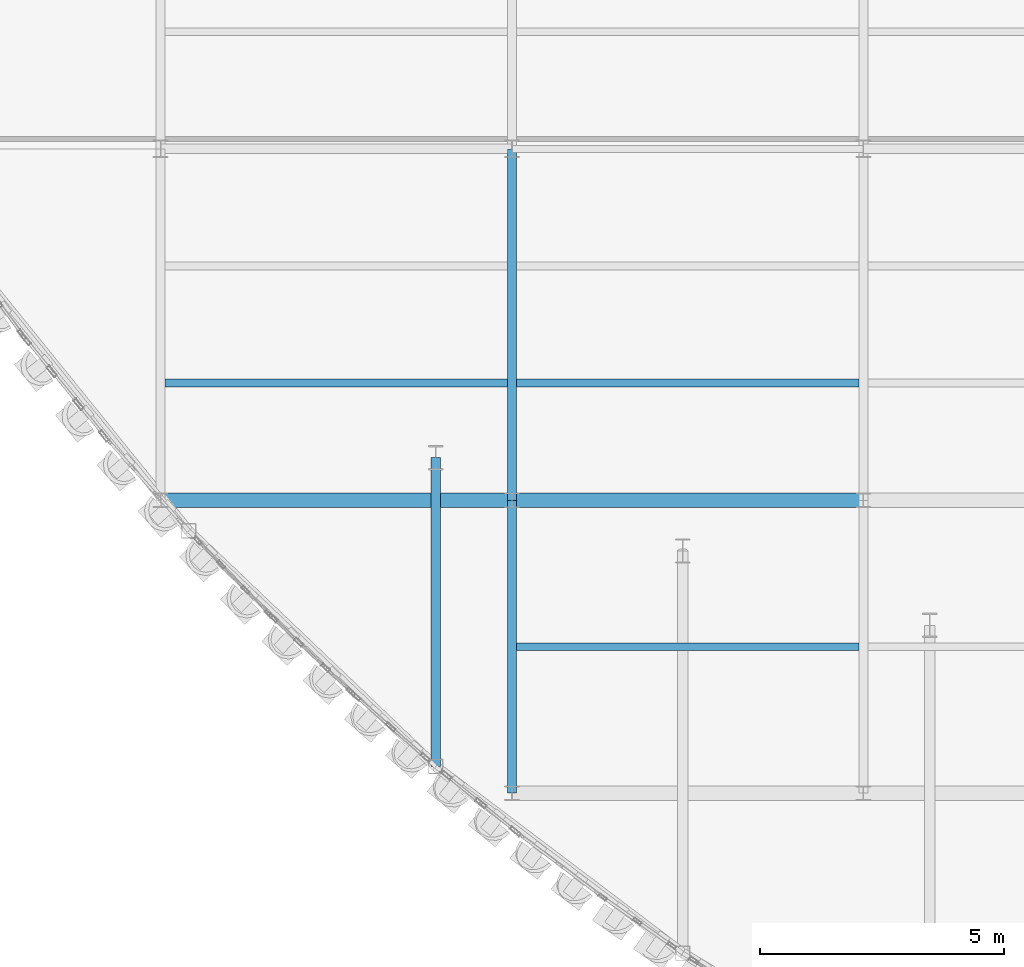
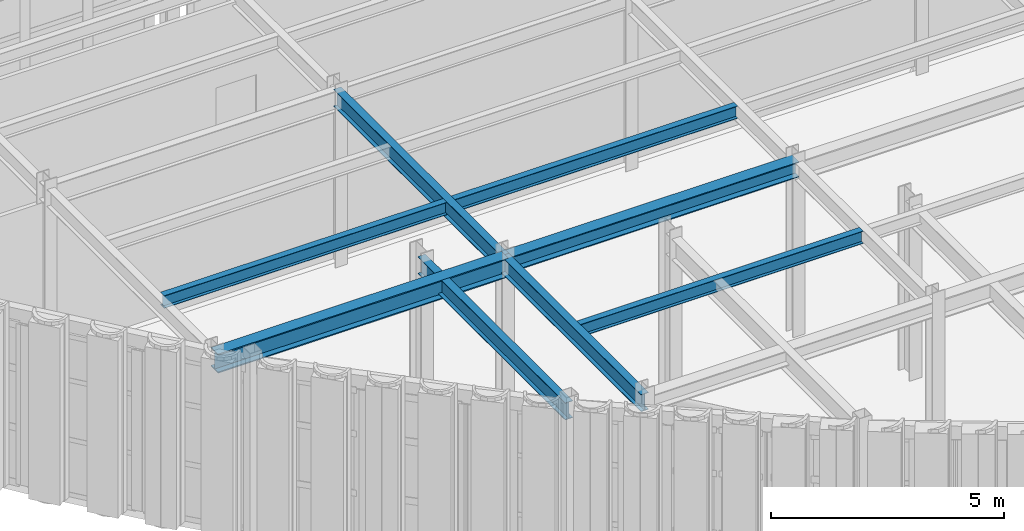
# One storey, part 22 of 121: 8 beams.
"""IFC4 building model written with IfcOpenShell, lengths in metres."""

from ifc_helpers import new_model, si_unit, direction, frame, origin, origin_2d, place, context, subcontext, project, spatial, i_section, extrude, material, material_profile, profile_set, type_object, element, save


model = new_model("IFC4")

# Units and contexts
model_context = context("Model", 3, precision=1e-05, world=origin(), true_north=direction((0.0, 1.0)))
body_context = subcontext(model_context, "Body", "Model", "MODEL_VIEW")
ifc_project = project(units=[si_unit("LENGTHUNIT", "METRE"), si_unit("AREAUNIT", "SQUARE_METRE"), si_unit("VOLUMEUNIT", "CUBIC_METRE"), si_unit("PLANEANGLEUNIT", "RADIAN"), si_unit("MASSUNIT", "GRAM", prefix="KILO")], contexts=[model_context])

# Site, building, storey
site_placement = place(None, origin())
site = spatial("IfcSite", under=ifc_project, at=site_placement, CompositionType="ELEMENT")
building_placement = place(site_placement, origin())
building = spatial("IfcBuilding", under=site, at=building_placement, Name="Solvadek Multi-Sports Hall", CompositionType="ELEMENT")
storey_placement = place(building_placement, frame((0.0, 0.0, 4.800048828125)))
storey = spatial("IfcBuildingStorey", under=building, at=storey_placement, Name="L01", CompositionType="ELEMENT", Elevation=4.800048828125)

# Beams
ifc_material = material(Name="Steel E350 (350 MPa)", Category="steel")
ifc_material_profile_1 = material_profile(ifc_material, i_section(OverallWidth=0.18994140625, OverallDepth=0.449951171875, WebThickness=0.009521484375, FlangeThickness=0.0146484375, at=origin_2d()), Name="NPB 450")
ifc_profile_set_1 = profile_set([ifc_material_profile_1], Name="Steel E350 (350 MPa)")
beam_type_1 = type_object("IfcBeamType", Name="STR-BM-NPB450", PredefinedType="BEAM", material=ifc_profile_set_1)
beam_1_placement = place(storey_placement, frame((41.636474609375, 0.54541015625, 4.3349609375), z_axis=(0.0, 1.0, 0.0), x_axis=(-1.0, 0.0, 0.0)))
element("IfcBeam", 1, at=beam_1_placement, inside=storey, type_object=beam_type_1, Name="L01 Girder B-08 #1181", PredefinedType="BEAM", context=body_context, shape_type="SweptSolid", body=[
    extrude(i_section(OverallWidth=0.18994140625, OverallDepth=0.449951171875, WebThickness=0.009521484375, FlangeThickness=0.0146484375, at=origin_2d()), origin(), (0.0, 0.0, 1.0), 6.3271484375),
])
beam_2_placement = place(storey_placement, frame((43.199951171875, 0.0, 4.3349609375), z_axis=(0.0, 1.0, 0.0), x_axis=(-1.0, 0.0, 0.0)))
element("IfcBeam", 2, at=beam_2_placement, inside=storey, type_object=beam_type_1, Name="L01 Girder B-08 #1182", PredefinedType="BEAM", context=body_context, shape_type="SweptSolid", body=[
    extrude(i_section(OverallWidth=0.18994140625, OverallDepth=0.449951171875, WebThickness=0.009521484375, FlangeThickness=0.0146484375, at=origin_2d()), origin(), (0.0, 0.0, 1.0), 6.0),
])
beam_3_placement = place(storey_placement, frame((43.199951171875, 6.0, 4.3349609375), z_axis=(0.0, 1.0, 0.0), x_axis=(-1.0, 0.0, 0.0)))
element("IfcBeam", 3, at=beam_3_placement, inside=storey, type_object=beam_type_1, Name="L01 Girder B-08 #1183", PredefinedType="BEAM", context=body_context, shape_type="SweptSolid", body=[
    extrude(i_section(OverallWidth=0.18994140625, OverallDepth=0.449951171875, WebThickness=0.009521484375, FlangeThickness=0.0146484375, at=origin_2d()), origin(), (0.0, 0.0, 1.0), 7.199951171875),
])
ifc_material_profile_2 = material_profile(ifc_material, i_section(OverallWidth=0.159912109375, OverallDepth=0.330078125, WebThickness=0.007568359375, FlangeThickness=0.011474609375, at=origin_2d()), Name="NPB 330")
ifc_profile_set_2 = profile_set([ifc_material_profile_2], Name="Steel E350 (350 MPa)")
beam_type_2 = type_object("IfcBeamType", Name="STR-JST-NPB330", PredefinedType="JOIST", material=ifc_profile_set_2)
for number, where, z_axis, x_axis, name in (
    (4, (43.294921875, 3.0, 4.39501953125), (1.0, 0.0, 0.0), (0.0, 1.0, 0.0), "L01 Composite Joist J-02 #585"),
    (5, (36.094970703125, 8.39990234375, 4.39501953125), (1.0, 0.0, 0.0), (0.0, 1.0, 0.0), "L01 Composite Joist J-02 #588"),
    (6, (43.294921875, 8.39990234375, 4.39501953125), (1.0, 0.0, 0.0), (0.0, 1.0, 0.0), "L01 Composite Joist J-02 #590"),
):
    element("IfcBeam", number, at=place(storey_placement, frame(where, z_axis=z_axis, x_axis=x_axis)), inside=storey, type_object=beam_type_2, Name=name, PredefinedType="JOIST", context=body_context, shape_type="SweptSolid", body=[
        extrude(i_section(OverallWidth=0.159912109375, OverallDepth=0.330078125, WebThickness=0.007568359375, FlangeThickness=0.011474609375, at=origin_2d()), origin(), (0.0, 0.0, 1.0), 7.010009765625),
    ])
ifc_material_profile_3 = material_profile(ifc_material, i_section(OverallWidth=0.300048828125, OverallDepth=0.39990234375, WebThickness=0.013427734375, FlangeThickness=0.02392578125, at=origin_2d()), Name="WPB 400")
ifc_profile_set_3 = profile_set([ifc_material_profile_3], Name="Steel E350 (350 MPa)")
beam_type_3 = type_object("IfcBeamType", Name="STR-SPN-WPB400", PredefinedType="SPANDREL", material=ifc_profile_set_3)
beam_4_placement = place(storey_placement, frame((43.199951171875, 6.0, 4.35986328125), z_axis=(1.0, 0.0, 0.0), x_axis=(0.0, 1.0, 0.0)))
element("IfcBeam", 7, at=beam_4_placement, inside=storey, type_object=beam_type_3, Name="L01 Girder SP-02 #952", PredefinedType="SPANDREL", context=body_context, shape_type="SweptSolid", body=[
    extrude(i_section(OverallWidth=0.300048828125, OverallDepth=0.39990234375, WebThickness=0.013427734375, FlangeThickness=0.02392578125, at=origin_2d()), origin(), (0.0, 0.0, 1.0), 7.199951171875),
])
ifc_material_profile_4 = material_profile(ifc_material, i_section(OverallWidth=0.300048828125, OverallDepth=0.5, WebThickness=0.014404296875, FlangeThickness=0.028076171875, at=origin_2d()), Name="WPB 500")
ifc_profile_set_4 = profile_set([ifc_material_profile_4], Name="Steel E350 (350 MPa)")
beam_type_4 = type_object("IfcBeamType", Name="STR-SPN-WPB500", PredefinedType="SPANDREL", material=ifc_profile_set_4)
beam_5_placement = place(storey_placement, frame((36.0, 6.0, 4.31005859375), z_axis=(1.0, 0.0, 0.0), x_axis=(0.0, 1.0, 0.0)))
element("IfcBeam", 8, at=beam_5_placement, inside=storey, type_object=beam_type_4, Name="L01 Girder SP-01 #951", PredefinedType="SPANDREL", context=body_context, shape_type="SweptSolid", body=[
    extrude(i_section(OverallWidth=0.300048828125, OverallDepth=0.5, WebThickness=0.014404296875, FlangeThickness=0.028076171875, at=origin_2d()), origin(), (0.0, 0.0, 1.0), 7.199951171875),
])

save(model, "model.ifc")
